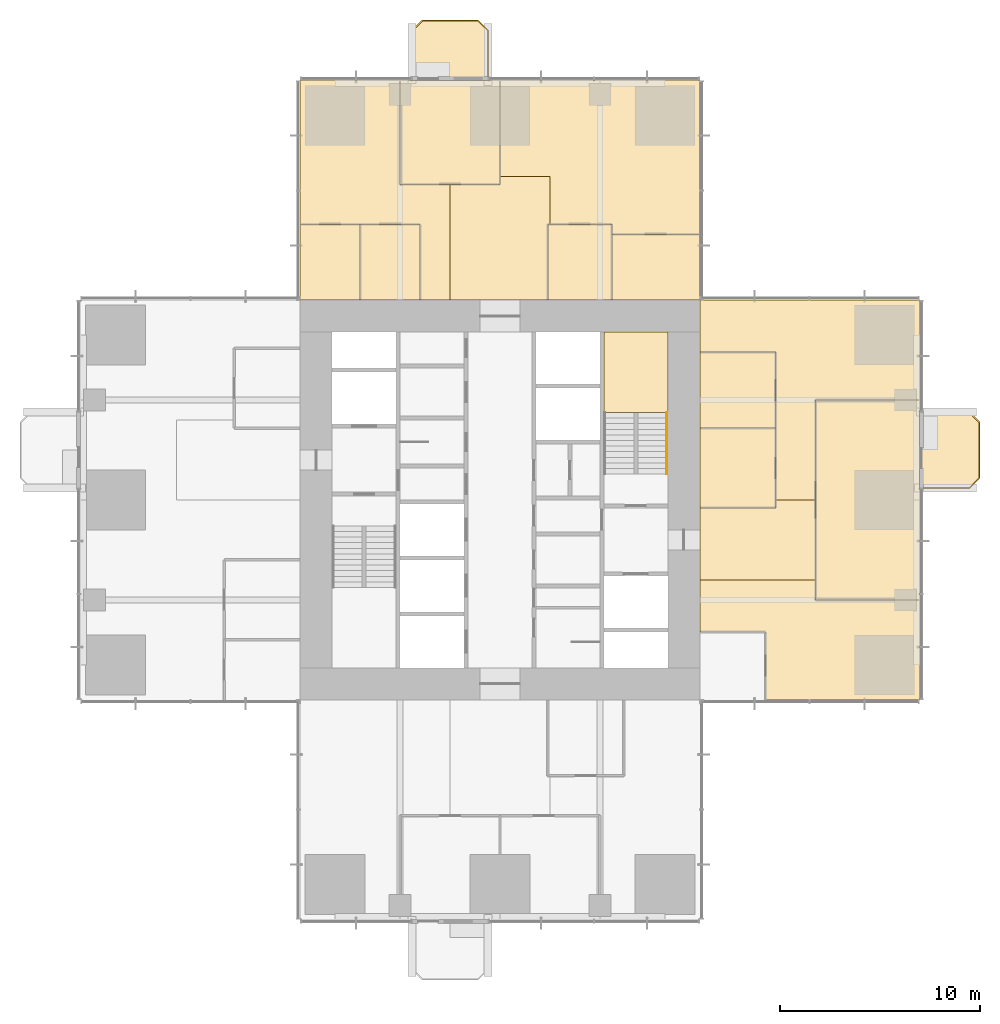
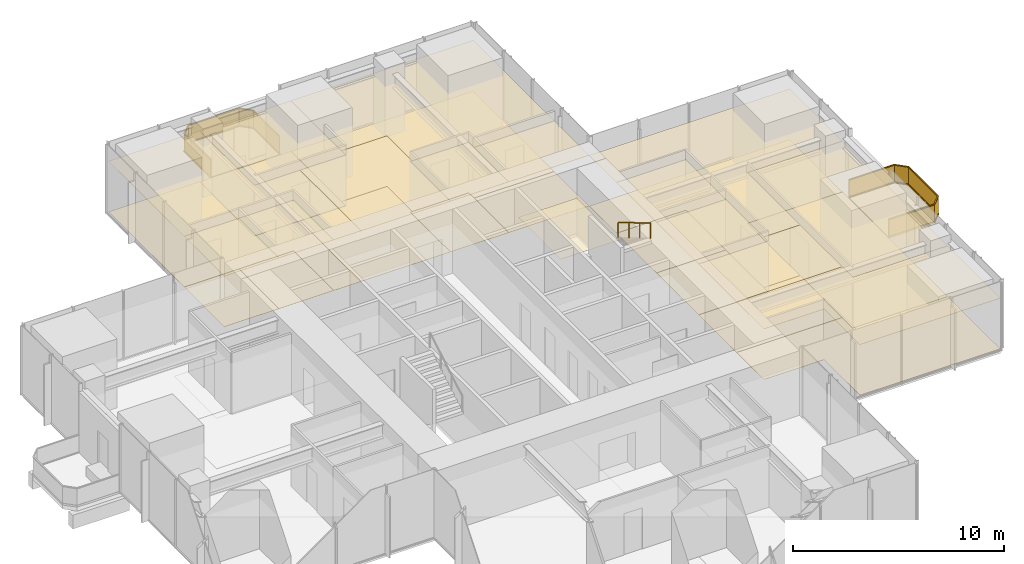
# One storey, part 12 of 13: 31 coverings, 3 railings.
"""IFC4 building model written with IfcOpenShell, lengths in metres."""

import ifcopenshell
import ifcopenshell.guid

model = None  # the IFC model being written
_history = None  # IfcOwnerHistory: only IFC2X3 demands one
_inside = {}  # id of a spatial element -> (the spatial element, [elements in it])
_under = {}  # id of a project, library or spatial element -> (it, [spatial elements below it])
_declared = {}  # id of a project -> (the project, [libraries it declares])
_typed = {}  # id of a type object -> (the type object, [elements of that type])
_made_of = {}  # id of a material, layer set ... -> (it, [elements and type objects made of it])


def new_model(schema):
    """Start an empty IFC model of exactly this schema.

    Asked for "IFC4X3", IfcOpenShell would pick the latest addendum, in which some entities
    have other attributes; the version numbers below select the first issue.
    IFC2X3 requires an IfcOwnerHistory on every rooted entity: one is made here for all.
    """
    global model, _history
    if schema == "IFC4X3":
        model = ifcopenshell.file(schema_version=(4, 3, 0, 0))
    else:
        model = ifcopenshell.file(schema=schema)
    _inside.clear()
    _under.clear()
    _declared.clear()
    _typed.clear()
    _made_of.clear()
    _history = None
    if model.schema == "IFC2X3":
        org = make("IfcOrganization", Name="unknown")
        user = make(
            "IfcPersonAndOrganization",
            ThePerson=make("IfcPerson", FamilyName="unknown"),
            TheOrganization=org,
        )
        app = make(
            "IfcApplication",
            ApplicationDeveloper=org,
            Version="unknown",
            ApplicationFullName="unknown",
            ApplicationIdentifier="unknown",
        )
        _history = make(
            "IfcOwnerHistory",
            OwningUser=user,
            OwningApplication=app,
            ChangeAction="ADDED",
            CreationDate=0,
        )
    return model


def make(cls, **values):
    """One entity of the class cls with the attributes given. An attribute that is None is left unset."""
    return model.create_entity(
        cls, **{name: value for name, value in values.items() if value is not None}
    )


def rooted(cls, **values):
    """An entity with a GlobalId (a new one), such as an element, a storey or a relation."""
    return make(cls, GlobalId=ifcopenshell.guid.new(), OwnerHistory=_history, **values)


def si_unit(unit_type, name, prefix=None):
    """IfcSIUnit, for example si_unit("LENGTHUNIT", "METRE", prefix="MILLI")."""
    return make("IfcSIUnit", UnitType=unit_type, Prefix=prefix, Name=name)


def assignment(units):
    """IfcUnitAssignment: the units of a project."""
    return None if units is None else make("IfcUnitAssignment", Units=units)


def point(xyz):
    """IfcCartesianPoint."""
    return None if xyz is None else make("IfcCartesianPoint", Coordinates=xyz)


def direction(xyz):
    """IfcDirection."""
    return None if xyz is None else make("IfcDirection", DirectionRatios=xyz)


def frame(location, z_axis=None, x_axis=None):
    """IfcAxis2Placement3D, a coordinate frame: its origin and axes. An axis left out is left unset."""
    return make(
        "IfcAxis2Placement3D",
        Location=point(location),
        Axis=direction(z_axis),
        RefDirection=direction(x_axis),
    )


def frame_2d(location, x_axis=None):
    """IfcAxis2Placement2D, a coordinate frame in the plane: its origin and x axis."""
    return make(
        "IfcAxis2Placement2D", Location=point(location), RefDirection=direction(x_axis)
    )


def origin():
    """The frame at (0, 0, 0) with its axes left unset."""
    return frame((0.0, 0.0, 0.0))


def origin_2d():
    """The frame at (0, 0) in the plane with its x axis left unset."""
    return frame_2d((0.0, 0.0))


def place(relative_to, where):
    """IfcLocalPlacement: puts the frame where relative to a parent placement (None: the world)."""
    return make(
        "IfcLocalPlacement", PlacementRelTo=relative_to, RelativePlacement=where
    )


def context(
    kind, dimensions, precision=None, world=None, true_north=None, identifier=None
):
    """IfcGeometricRepresentationContext, for example the 3D "Model" context."""
    return make(
        "IfcGeometricRepresentationContext",
        ContextIdentifier=identifier,
        ContextType=kind,
        CoordinateSpaceDimension=dimensions,
        Precision=precision,
        WorldCoordinateSystem=world,
        TrueNorth=true_north,
    )


def subcontext(parent, identifier, kind, view, scale=None):
    """IfcGeometricRepresentationSubContext, for example "Body" below "Model"."""
    return make(
        "IfcGeometricRepresentationSubContext",
        ContextIdentifier=identifier,
        ContextType=kind,
        ParentContext=parent,
        TargetScale=scale,
        TargetView=view,
    )


def project(units=None, contexts=None):
    """IfcProject with its units and contexts."""
    return rooted(
        "IfcProject",
        Name="project",
        RepresentationContexts=contexts,
        UnitsInContext=assignment(units),
    )


def spatial(cls, under=None, at=None, **own):
    """A site, building, storey or space (cls), placed at a placement, below another one or the project."""
    s = rooted(cls, ObjectPlacement=at, **own)
    if under is not None:
        _under.setdefault(under.id(), (under, []))[1].append(s)
    return s


def polyline(points):
    """IfcPolyline through the points."""
    return make("IfcPolyline", Points=[point(p) for p in points])


def profile(cls, at=None, kind="AREA", **sizes):
    """A parametric profile (cls). Its sizes go by their IFC names, for example OverallWidth=200.0."""
    return make(cls, ProfileType=kind, Position=at, **sizes)


def rectangle(**sizes):
    """IfcRectangleProfileDef."""
    return profile("IfcRectangleProfileDef", **sizes)


def circle(**sizes):
    """IfcCircleProfileDef."""
    return profile("IfcCircleProfileDef", **sizes)


def outline(outer, holes=None, kind="AREA"):
    """IfcArbitraryClosedProfileDef: a profile drawn as a closed curve; with holes, ...WithVoids."""
    if holes is None:
        return make("IfcArbitraryClosedProfileDef", ProfileType=kind, OuterCurve=outer)
    return make(
        "IfcArbitraryProfileDefWithVoids",
        ProfileType=kind,
        OuterCurve=outer,
        InnerCurves=holes,
    )


def extrude(swept, where, along, depth):
    """IfcExtrudedAreaSolid: the profile swept, set in the frame where, extruded along a direction by depth."""
    return make(
        "IfcExtrudedAreaSolid",
        SweptArea=swept,
        Position=where,
        ExtrudedDirection=direction(along),
        Depth=depth,
    )


def shape(context_of_items, identifier, shape_type, items):
    """IfcShapeRepresentation: the items that make up one representation, for example the "Body"."""
    return make(
        "IfcShapeRepresentation",
        ContextOfItems=context_of_items,
        RepresentationIdentifier=identifier,
        RepresentationType=shape_type,
        Items=items,
    )


def material(Name=None, Category=None):
    """IfcMaterial."""
    return make("IfcMaterial", Name=Name, Category=Category)


def layer(
    of_material, thickness, ventilated=None, Name=None, Category=None, Priority=None
):
    """IfcMaterialLayer: one layer of a wall or slab, of a material (None: an air gap)."""
    return make(
        "IfcMaterialLayer",
        Material=of_material,
        LayerThickness=thickness,
        IsVentilated=ventilated,
        Name=Name,
        Category=Category,
        Priority=Priority,
    )


def layer_set(layers, Name=None):
    """IfcMaterialLayerSet."""
    return make("IfcMaterialLayerSet", MaterialLayers=layers, LayerSetName=Name)


def made_of(thing, what):
    """Note that an element or type object is made of a material, layer set ...; save() writes the relation."""
    if what is not None:
        _made_of.setdefault(what.id(), (what, []))[1].append(thing)
    return thing


def type_object(cls, material=None, **own):
    """A type object (cls), such as IfcWallType, which elements share."""
    return made_of(rooted(cls, **own), material)


def element(
    cls,
    number,
    at=None,
    inside=None,
    cuts=None,
    type_object=None,
    material=None,
    context=None,
    identifier="Body",
    shape_type=None,
    held_by="IfcProductDefinitionShape",
    body=None,
    shapes=None,
    **own,
):
    """One element of the class cls, such as IfcWall. Its Tag is "e" and its number.

    at: its placement. inside: the storey or other place that contains it. cuts: it is an
    opening in that element (IfcRelVoidsElement). A single representation is given by context,
    identifier, shape_type and body (its items); several are given by shapes. held_by: the class
    of the entity that holds the representations. save() writes the other relations.
    """
    e = rooted(cls, Tag="e%d" % number, ObjectPlacement=at, **own)
    if body is not None:
        shapes = [shape(context, identifier, shape_type, body)]
    if shapes is not None:
        e.Representation = make(held_by, Representations=shapes)
    if inside is not None:
        _inside.setdefault(inside.id(), (inside, []))[1].append(e)
    if cuts is not None:
        rooted(
            "IfcRelVoidsElement", RelatingBuildingElement=cuts, RelatedOpeningElement=e
        )
    if type_object is not None:
        _typed.setdefault(type_object.id(), (type_object, []))[1].append(e)
    return made_of(e, material)


def aggregate(whole, parts):
    """IfcRelAggregates: a whole, such as a stair, and the parts it consists of."""
    return rooted("IfcRelAggregates", RelatingObject=whole, RelatedObjects=parts)


def save(model, path):
    """Write the relations noted so far, then the file.

    IfcRelAggregates (storeys below a building ...), IfcRelContainedInSpatialStructure (elements
    in a storey), IfcRelDefinesByType, IfcRelAssociatesMaterial and IfcRelDeclares: one each for
    every whole, place, type object, material and project.
    """
    for whole, parts in _under.values():
        aggregate(whole, parts)
    for where, things in _inside.values():
        rooted(
            "IfcRelContainedInSpatialStructure",
            RelatedElements=things,
            RelatingStructure=where,
        )
    for kind, things in _typed.values():
        rooted("IfcRelDefinesByType", RelatedObjects=things, RelatingType=kind)
    for what, things in _made_of.values():
        rooted("IfcRelAssociatesMaterial", RelatedObjects=things, RelatingMaterial=what)
    for by, libraries in _declared.values():
        rooted("IfcRelDeclares", RelatingContext=by, RelatedDefinitions=libraries)
    model.write(path)


model = new_model("IFC4")

# Units and contexts
model_context = context("Model", 3, precision=1e-05, world=origin(), true_north=direction((0.0, 1.0)))
body_context = subcontext(model_context, "Body", "Model", "MODEL_VIEW")
ifc_project = project(units=[si_unit("LENGTHUNIT", "METRE"), si_unit("AREAUNIT", "SQUARE_METRE"), si_unit("VOLUMEUNIT", "CUBIC_METRE"), si_unit("PLANEANGLEUNIT", "RADIAN"), si_unit("MASSUNIT", "GRAM", prefix="KILO")], contexts=[model_context])

# Site, building, storey
site_placement = place(None, origin())
site = spatial("IfcSite", under=ifc_project, at=site_placement, CompositionType="ELEMENT")
building_placement = place(site_placement, origin())
building = spatial("IfcBuilding", under=site, at=building_placement, Name="Svetlomir Tower", CompositionType="ELEMENT")
storey_placement = place(building_placement, frame((0.0, 0.0, 156.5)))
storey = spatial("IfcBuildingStorey", under=building, at=storey_placement, Name="L37", CompositionType="ELEMENT", Elevation=156.5)

# Railings
ifc_material_1 = material(Name="Bronze anodised aluminium and laminated glass", Category="aluminium")
railing_type_1 = type_object("IfcRailingType", Name="BALCONY GUARD GR1 1100", PredefinedType="GUARDRAIL", material=ifc_material_1)
railing_1_placement = place(storey_placement, frame((42.0, 21.60009765625, 0.0)))
element("IfcRailing", 1, at=railing_1_placement, inside=storey, type_object=railing_type_1, Name="Balcony guard E L37", PredefinedType="GUARDRAIL", context=body_context, shape_type="SweptSolid", body=[
    extrude(rectangle(XDim=0.06005859375, YDim=0.10009765625, at=origin_2d()), frame((0.0, 0.0, 0.050048828125), z_axis=(1.0, 0.0, 0.0), x_axis=(0.0, 1.0, 0.0)), (0.0, 0.0, 1.0), 2.5),
    extrude(rectangle(XDim=0.021484375, YDim=0.960205078125, at=origin_2d()), frame((0.0, 0.0, 0.580078125), z_axis=(1.0, 0.0, 0.0), x_axis=(0.0, 1.0, 0.0)), (0.0, 0.0, 1.0), 2.5),
    extrude(rectangle(XDim=0.06005859375, YDim=0.0400390625, at=origin_2d()), frame((0.0, 0.0, 1.080078125), z_axis=(1.0, 0.0, 0.0), x_axis=(0.0, 1.0, 0.0)), (0.0, 0.0, 1.0), 2.5),
    extrude(rectangle(XDim=0.06005859375, YDim=0.10009765625, at=origin_2d()), frame((2.5, 0.0, 0.050048828125), z_axis=(0.707106781187, 0.707106781187, 0.0), x_axis=(-0.707106781187, 0.707106781187, 0.0)), (0.0, 0.0, 1.0), 0.70703125),
    extrude(rectangle(XDim=0.021484375, YDim=0.960205078125, at=origin_2d()), frame((2.5, 0.0, 0.580078125), z_axis=(0.707106781187, 0.707106781187, 0.0), x_axis=(-0.707106781187, 0.707106781187, 0.0)), (0.0, 0.0, 1.0), 0.70703125),
    extrude(rectangle(XDim=0.06005859375, YDim=0.0400390625, at=origin_2d()), frame((2.5, 0.0, 1.080078125), z_axis=(0.707106781187, 0.707106781187, 0.0), x_axis=(-0.707106781187, 0.707106781187, 0.0)), (0.0, 0.0, 1.0), 0.70703125),
    extrude(rectangle(XDim=0.06005859375, YDim=0.10009765625, at=origin_2d()), frame((3.0, 0.5, 0.050048828125), z_axis=(0.0, 1.0, 0.0), x_axis=(-1.0, 0.0, 0.0)), (0.0, 0.0, 1.0), 2.7998046875),
    extrude(rectangle(XDim=0.021484375, YDim=0.960205078125, at=origin_2d()), frame((3.0, 0.5, 0.580078125), z_axis=(0.0, 1.0, 0.0), x_axis=(-1.0, 0.0, 0.0)), (0.0, 0.0, 1.0), 2.7998046875),
    extrude(rectangle(XDim=0.06005859375, YDim=0.0400390625, at=origin_2d()), frame((3.0, 0.5, 1.080078125), z_axis=(0.0, 1.0, 0.0), x_axis=(-1.0, 0.0, 0.0)), (0.0, 0.0, 1.0), 2.7998046875),
    extrude(rectangle(XDim=0.06005859375, YDim=0.10009765625, at=origin_2d()), frame((3.0, 3.2998046875, 0.050048828125), z_axis=(-0.707106781187, 0.707106781187, 0.0), x_axis=(-0.707106781187, -0.707106781187, 0.0)), (0.0, 0.0, 1.0), 0.70703125),
    extrude(rectangle(XDim=0.021484375, YDim=0.960205078125, at=origin_2d()), frame((3.0, 3.2998046875, 0.580078125), z_axis=(-0.707106781187, 0.707106781187, 0.0), x_axis=(-0.707106781187, -0.707106781187, 0.0)), (0.0, 0.0, 1.0), 0.70703125),
    extrude(rectangle(XDim=0.06005859375, YDim=0.0400390625, at=origin_2d()), frame((3.0, 3.2998046875, 1.080078125), z_axis=(-0.707106781187, 0.707106781187, 0.0), x_axis=(-0.707106781187, -0.707106781187, 0.0)), (0.0, 0.0, 1.0), 0.70703125),
    extrude(rectangle(XDim=0.06005859375, YDim=0.10009765625, at=origin_2d()), frame((2.5, 3.7998046875, 0.050048828125), z_axis=(-1.0, 0.0, 0.0), x_axis=(0.0, -1.0, 0.0)), (0.0, 0.0, 1.0), 2.5),
    extrude(rectangle(XDim=0.021484375, YDim=0.960205078125, at=origin_2d()), frame((2.5, 3.7998046875, 0.580078125), z_axis=(-1.0, 0.0, 0.0), x_axis=(0.0, -1.0, 0.0)), (0.0, 0.0, 1.0), 2.5),
    extrude(rectangle(XDim=0.06005859375, YDim=0.0400390625, at=origin_2d()), frame((2.5, 3.7998046875, 1.080078125), z_axis=(-1.0, 0.0, 0.0), x_axis=(0.0, -1.0, 0.0)), (0.0, 0.0, 1.0), 2.5),
])
railing_2_placement = place(storey_placement, frame((20.39990234375, 42.0, 0.0)))
element("IfcRailing", 2, at=railing_2_placement, inside=storey, type_object=railing_type_1, Name="Balcony guard N L37", PredefinedType="GUARDRAIL", context=body_context, shape_type="SweptSolid", body=[
    extrude(rectangle(XDim=0.06005859375, YDim=0.10009765625, at=origin_2d()), frame((0.0, 0.0, 0.050048828125), z_axis=(0.0, 1.0, 0.0), x_axis=(-1.0, 0.0, 0.0)), (0.0, 0.0, 1.0), 2.5),
    extrude(rectangle(XDim=0.021484375, YDim=0.960205078125, at=origin_2d()), frame((0.0, 0.0, 0.580078125), z_axis=(0.0, 1.0, 0.0), x_axis=(-1.0, 0.0, 0.0)), (0.0, 0.0, 1.0), 2.5),
    extrude(rectangle(XDim=0.06005859375, YDim=0.0400390625, at=origin_2d()), frame((0.0, 0.0, 1.080078125), z_axis=(0.0, 1.0, 0.0), x_axis=(-1.0, 0.0, 0.0)), (0.0, 0.0, 1.0), 2.5),
    extrude(rectangle(XDim=0.06005859375, YDim=0.10009765625, at=origin_2d()), frame((0.0, 2.5, 0.050048828125), z_axis=(-0.707106781187, 0.707106781187, 0.0), x_axis=(-0.707106781187, -0.707106781187, 0.0)), (0.0, 0.0, 1.0), 0.70703125),
    extrude(rectangle(XDim=0.021484375, YDim=0.960205078125, at=origin_2d()), frame((0.0, 2.5, 0.580078125), z_axis=(-0.707106781187, 0.707106781187, 0.0), x_axis=(-0.707106781187, -0.707106781187, 0.0)), (0.0, 0.0, 1.0), 0.70703125),
    extrude(rectangle(XDim=0.06005859375, YDim=0.0400390625, at=origin_2d()), frame((0.0, 2.5, 1.080078125), z_axis=(-0.707106781187, 0.707106781187, 0.0), x_axis=(-0.707106781187, -0.707106781187, 0.0)), (0.0, 0.0, 1.0), 0.70703125),
    extrude(rectangle(XDim=0.06005859375, YDim=0.10009765625, at=origin_2d()), frame((-0.5, 3.0, 0.050048828125), z_axis=(-1.0, 0.0, 0.0), x_axis=(0.0, -1.0, 0.0)), (0.0, 0.0, 1.0), 2.7998046875),
    extrude(rectangle(XDim=0.021484375, YDim=0.960205078125, at=origin_2d()), frame((-0.5, 3.0, 0.580078125), z_axis=(-1.0, 0.0, 0.0), x_axis=(0.0, -1.0, 0.0)), (0.0, 0.0, 1.0), 2.7998046875),
    extrude(rectangle(XDim=0.06005859375, YDim=0.0400390625, at=origin_2d()), frame((-0.5, 3.0, 1.080078125), z_axis=(-1.0, 0.0, 0.0), x_axis=(0.0, -1.0, 0.0)), (0.0, 0.0, 1.0), 2.7998046875),
    extrude(rectangle(XDim=0.06005859375, YDim=0.10009765625, at=origin_2d()), frame((-3.2998046875, 3.0, 0.050048828125), z_axis=(-0.707106781187, -0.707106781187, 0.0), x_axis=(0.707106781187, -0.707106781187, 0.0)), (0.0, 0.0, 1.0), 0.70703125),
    extrude(rectangle(XDim=0.021484375, YDim=0.960205078125, at=origin_2d()), frame((-3.2998046875, 3.0, 0.580078125), z_axis=(-0.707106781187, -0.707106781187, 0.0), x_axis=(0.707106781187, -0.707106781187, 0.0)), (0.0, 0.0, 1.0), 0.70703125),
    extrude(rectangle(XDim=0.06005859375, YDim=0.0400390625, at=origin_2d()), frame((-3.2998046875, 3.0, 1.080078125), z_axis=(-0.707106781187, -0.707106781187, 0.0), x_axis=(0.707106781187, -0.707106781187, 0.0)), (0.0, 0.0, 1.0), 0.70703125),
    extrude(rectangle(XDim=0.06005859375, YDim=0.10009765625, at=origin_2d()), frame((-3.7998046875, 2.5, 0.050048828125), z_axis=(0.0, -1.0, 0.0), x_axis=(1.0, 0.0, 0.0)), (0.0, 0.0, 1.0), 2.5),
    extrude(rectangle(XDim=0.021484375, YDim=0.960205078125, at=origin_2d()), frame((-3.7998046875, 2.5, 0.580078125), z_axis=(0.0, -1.0, 0.0), x_axis=(1.0, 0.0, 0.0)), (0.0, 0.0, 1.0), 2.5),
    extrude(rectangle(XDim=0.06005859375, YDim=0.0400390625, at=origin_2d()), frame((-3.7998046875, 2.5, 1.080078125), z_axis=(0.0, -1.0, 0.0), x_axis=(1.0, 0.0, 0.0)), (0.0, 0.0, 1.0), 2.5),
])

# Coverings
ifc_material_2 = material(Name="Granite paving slabs on pedestals", Category="masonry")
ifc_layer_1 = layer(ifc_material_2, 0.0400390625)
ifc_layer_set_1 = layer_set([ifc_layer_1], Name="Granite paving slabs on pedestals")
covering_type_1 = type_object("IfcCoveringType", Name="BALCONY PAVING 40", PredefinedType="USERDEFINED", material=ifc_layer_set_1)
covering_1_placement = place(storey_placement, origin())
element("IfcCovering", 3, at=covering_1_placement, inside=storey, type_object=covering_type_1, Name="Balcony paving E L37", ObjectType="BALCONY PAVING", PredefinedType="USERDEFINED", context=body_context, shape_type="SweptSolid", body=[
    extrude(outline(polyline([(42.0, 21.60009765625), (44.5, 21.60009765625), (45.0, 22.10009765625), (45.0, 24.89990234375), (44.5, 25.39990234375), (42.0, 25.39990234375), (42.0, 21.60009765625)])), origin(), (0.0, 0.0, 1.0), 0.0400390625),
])
covering_2_placement = place(storey_placement, origin())
element("IfcCovering", 4, at=covering_2_placement, inside=storey, type_object=covering_type_1, Name="Balcony paving N L37", ObjectType="BALCONY PAVING", PredefinedType="USERDEFINED", context=body_context, shape_type="SweptSolid", body=[
    extrude(outline(polyline([(16.60009765625, 42.0), (20.39990234375, 42.0), (20.39990234375, 44.5), (19.89990234375, 45.0), (17.10009765625, 45.0), (16.60009765625, 44.5), (16.60009765625, 42.0)])), origin(), (0.0, 0.0, 1.0), 0.0400390625),
])
ifc_material_3 = material(Name="Carpet tile", Category="textile")
ifc_layer_2 = layer(ifc_material_3, 0.010009765625)
ifc_layer_set_2 = layer_set([ifc_layer_2], Name="Carpet tile")
covering_type_2 = type_object("IfcCoveringType", Name="CARPET TILE FLOOR 10", PredefinedType="FLOORING", material=ifc_layer_set_2)
covering_3_placement = place(storey_placement, origin())
element("IfcCovering", 5, at=covering_3_placement, inside=storey, type_object=covering_type_2, Name="Floor finish L37-20", PredefinedType="FLOORING", context=body_context, shape_type="SweptSolid", body=[
    extrude(outline(polyline([(31.0, 20.60009765625), (34.800048828125, 20.60009765625), (34.800048828125, 24.60009765625), (31.0, 24.60009765625), (31.0, 20.60009765625)])), origin(), (0.0, 0.0, 1.0), 0.010009765625),
])
covering_4_placement = place(storey_placement, origin())
element("IfcCovering", 6, at=covering_4_placement, inside=storey, type_object=covering_type_2, Name="Floor finish L37-21", PredefinedType="FLOORING", context=body_context, shape_type="SweptSolid", body=[
    extrude(outline(polyline([(31.0, 24.60009765625), (34.800048828125, 24.60009765625), (34.800048828125, 28.39990234375), (31.0, 28.39990234375), (31.0, 24.60009765625)])), origin(), (0.0, 0.0, 1.0), 0.010009765625),
])
covering_5_placement = place(storey_placement, origin())
element("IfcCovering", 7, at=covering_5_placement, inside=storey, type_object=covering_type_2, Name="Floor finish L37-22", PredefinedType="FLOORING", context=body_context, shape_type="SweptSolid", body=[
    extrude(outline(polyline([(36.800048828125, 16.0), (42.0, 16.0), (42.0, 26.0), (36.800048828125, 26.0), (36.800048828125, 16.0)])), origin(), (0.0, 0.0, 1.0), 0.010009765625),
])
covering_6_placement = place(storey_placement, origin())
element("IfcCovering", 8, at=covering_6_placement, inside=storey, type_object=covering_type_2, Name="Floor finish L37-23", PredefinedType="FLOORING", context=body_context, shape_type="SweptSolid", body=[
    extrude(outline(polyline([(11.0, 31.0), (14.0, 31.0), (14.0, 34.800048828125), (11.0, 34.800048828125), (11.0, 31.0)])), origin(), (0.0, 0.0, 1.0), 0.010009765625),
])
covering_7_placement = place(storey_placement, origin())
element("IfcCovering", 9, at=covering_7_placement, inside=storey, type_object=covering_type_2, Name="Floor finish L37-24", PredefinedType="FLOORING", context=body_context, shape_type="SweptSolid", body=[
    extrude(outline(polyline([(14.0, 31.0), (17.0, 31.0), (17.0, 34.800048828125), (14.0, 34.800048828125), (14.0, 31.0)])), origin(), (0.0, 0.0, 1.0), 0.010009765625),
])
covering_8_placement = place(storey_placement, origin())
element("IfcCovering", 10, at=covering_8_placement, inside=storey, type_object=covering_type_2, Name="Floor finish L37-25", PredefinedType="FLOORING", context=body_context, shape_type="SweptSolid", body=[
    extrude(outline(polyline([(23.39990234375, 31.0), (26.60009765625, 31.0), (26.60009765625, 34.800048828125), (23.39990234375, 34.800048828125), (23.39990234375, 31.0)])), origin(), (0.0, 0.0, 1.0), 0.010009765625),
])
covering_9_placement = place(storey_placement, origin())
element("IfcCovering", 11, at=covering_9_placement, inside=storey, type_object=covering_type_2, Name="Floor finish L37-26", PredefinedType="FLOORING", context=body_context, shape_type="SweptSolid", body=[
    extrude(outline(polyline([(26.60009765625, 31.0), (31.0, 31.0), (31.0, 34.300048828125), (26.60009765625, 34.300048828125), (26.60009765625, 31.0)])), origin(), (0.0, 0.0, 1.0), 0.010009765625),
])
covering_10_placement = place(storey_placement, origin())
element("IfcCovering", 12, at=covering_10_placement, inside=storey, type_object=covering_type_2, Name="Floor finish L37-27", PredefinedType="FLOORING", context=body_context, shape_type="SweptSolid", body=[
    extrude(outline(polyline([(16.0, 36.800048828125), (21.0, 36.800048828125), (21.0, 42.0), (16.0, 42.0), (16.0, 36.800048828125)])), origin(), (0.0, 0.0, 1.0), 0.010009765625),
])
covering_11_placement = place(storey_placement, origin())
element("IfcCovering", 13, at=covering_11_placement, inside=storey, type_object=covering_type_2, Name="Floor finish L37-32", PredefinedType="FLOORING", context=body_context, shape_type="SweptSolid", body=[
    extrude(outline(polyline([(31.0, 20.60009765625), (34.800048828125, 20.60009765625), (34.800048828125, 21.0), (36.800048828125, 21.0), (36.800048828125, 17.0), (31.0, 17.0), (31.0, 20.60009765625)])), origin(), (0.0, 0.0, 1.0), 0.010009765625),
])
covering_12_placement = place(storey_placement, origin())
element("IfcCovering", 14, at=covering_12_placement, inside=storey, type_object=covering_type_2, Name="Floor finish L37-33", PredefinedType="FLOORING", context=body_context, shape_type="SweptSolid", body=[
    extrude(outline(polyline([(23.39990234375, 34.800048828125), (23.39990234375, 31.0), (18.5, 31.0), (18.5, 36.800048828125), (21.0, 36.800048828125), (21.0, 37.199951171875), (23.5, 37.199951171875), (23.5, 34.800048828125), (23.39990234375, 34.800048828125)])), origin(), (0.0, 0.0, 1.0), 0.010009765625),
])
covering_13_placement = place(storey_placement, origin())
element("IfcCovering", 15, at=covering_13_placement, inside=storey, type_object=covering_type_2, Name="Floor finish L37-37", PredefinedType="FLOORING", context=body_context, shape_type="SweptSolid", body=[
    extrude(outline(polyline([(34.300048828125, 14.39990234375), (31.0, 14.39990234375), (31.0, 17.0), (36.800048828125, 17.0), (36.800048828125, 16.0), (42.0, 16.0), (42.0, 11.0), (34.300048828125, 11.0), (34.300048828125, 14.39990234375)])), origin(), (0.0, 0.0, 1.0), 0.010009765625),
])
covering_14_placement = place(storey_placement, origin())
element("IfcCovering", 16, at=covering_14_placement, inside=storey, type_object=covering_type_2, Name="Floor finish L37-38", PredefinedType="FLOORING", context=body_context, shape_type="SweptSolid", body=[
    extrude(outline(polyline([(34.800048828125, 28.39990234375), (31.0, 28.39990234375), (31.0, 31.0), (42.0, 31.0), (42.0, 26.0), (36.800048828125, 26.0), (36.800048828125, 21.0), (34.800048828125, 21.0), (34.800048828125, 28.39990234375)])), origin(), (0.0, 0.0, 1.0), 0.010009765625),
])
covering_15_placement = place(storey_placement, origin())
element("IfcCovering", 17, at=covering_15_placement, inside=storey, type_object=covering_type_2, Name="Floor finish L37-39", PredefinedType="FLOORING", context=body_context, shape_type="SweptSolid", body=[
    extrude(outline(polyline([(26.60009765625, 34.300048828125), (26.60009765625, 34.800048828125), (23.5, 34.800048828125), (23.5, 37.199951171875), (21.0, 37.199951171875), (21.0, 42.0), (31.0, 42.0), (31.0, 34.300048828125), (26.60009765625, 34.300048828125)])), origin(), (0.0, 0.0, 1.0), 0.010009765625),
])
covering_16_placement = place(storey_placement, origin())
element("IfcCovering", 18, at=covering_16_placement, inside=storey, type_object=covering_type_2, Name="Floor finish L37-40", PredefinedType="FLOORING", context=body_context, shape_type="SweptSolid", body=[
    extrude(outline(polyline([(17.0, 34.800048828125), (11.0, 34.800048828125), (11.0, 42.0), (16.0, 42.0), (16.0, 36.800048828125), (18.5, 36.800048828125), (18.5, 31.0), (17.0, 31.0), (17.0, 34.800048828125)])), origin(), (0.0, 0.0, 1.0), 0.010009765625),
])

# Railing
ifc_material_4 = material(Name="Stainless steel", Category="steel")
railing_type_2 = type_object("IfcRailingType", Name="HANDRAIL HR1 900", PredefinedType="HANDRAIL", material=ifc_material_4)
railing_3_placement = place(storey_placement, frame((29.35009765625, 25.3798828125, 2.166748046875)))
element("IfcRailing", 19, at=railing_3_placement, inside=storey, type_object=railing_type_2, Name="Handrail S2 flight 2 L37", PredefinedType="HANDRAIL", context=body_context, shape_type="SweptSolid", body=[
    extrude(circle(Radius=0.02392578125, at=origin_2d()), frame((0.0, 0.0, 0.8759765625), z_axis=(0.0, -0.859290745958, 0.51148745235), x_axis=(1.0, 0.0, 0.0)), (0.0, 0.0, 1.0), 3.584228515625),
    extrude(circle(Radius=0.02099609375, at=origin_2d()), origin(), (0.0, 0.0, 1.0), 0.851806640625),
    extrude(circle(Radius=0.02099609375, at=origin_2d()), frame((0.0, -1.026611328125, 0.611083984375)), (0.0, 0.0, 1.0), 0.851806640625),
    extrude(circle(Radius=0.02099609375, at=origin_2d()), frame((0.0, -2.05322265625, 1.22216796875)), (0.0, 0.0, 1.0), 0.851806640625),
    extrude(circle(Radius=0.02099609375, at=origin_2d()), frame((0.0, -3.079833984375, 1.833251953125)), (0.0, 0.0, 1.0), 0.851806640625),
])

# Coverings
ifc_material_5 = material(Name="Studded rubber floor finish", Category="rubber")
ifc_layer_3 = layer(ifc_material_5, 0.006103515625)
ifc_layer_set_3 = layer_set([ifc_layer_3], Name="Studded rubber floor finish")
covering_type_3 = type_object("IfcCoveringType", Name="RUBBER LANDING FINISH 6", PredefinedType="FLOORING", material=ifc_layer_set_3)
covering_17_placement = place(storey_placement, frame((0.0, 0.0, 2.0)))
element("IfcCovering", 20, at=covering_17_placement, inside=storey, type_object=covering_type_3, Name="Stair S2 landing finish L37", PredefinedType="FLOORING", context=body_context, shape_type="SweptSolid", body=[
    extrude(outline(polyline([(26.199951171875, 25.3798828125), (29.39990234375, 25.3798828125), (29.39990234375, 29.39990234375), (26.199951171875, 29.39990234375), (26.199951171875, 25.3798828125)])), origin(), (0.0, 0.0, 1.0), 0.006103515625),
])
ifc_material_6 = material(Name="Mineral fibre ceiling tile", Category="mineral")
ifc_layer_4 = layer(ifc_material_6, 0.02001953125)
ifc_layer_set_4 = layer_set([ifc_layer_4], Name="Mineral fibre ceiling tile")
covering_type_4 = type_object("IfcCoveringType", Name="SUSPENDED CEILING 20", PredefinedType="CEILING", material=ifc_layer_set_4)
covering_18_placement = place(storey_placement, frame((0.0, 0.0, 2.929931640625)))
element("IfcCovering", 21, at=covering_18_placement, inside=storey, type_object=covering_type_4, Name="Ceiling L37-20", PredefinedType="CEILING", context=body_context, shape_type="SweptSolid", body=[
    extrude(outline(polyline([(31.0, 20.60009765625), (34.800048828125, 20.60009765625), (34.800048828125, 24.60009765625), (31.0, 24.60009765625), (31.0, 20.60009765625)])), origin(), (0.0, 0.0, 1.0), 0.02001953125),
])
covering_19_placement = place(storey_placement, frame((0.0, 0.0, 2.929931640625)))
element("IfcCovering", 22, at=covering_19_placement, inside=storey, type_object=covering_type_4, Name="Ceiling L37-21", PredefinedType="CEILING", context=body_context, shape_type="SweptSolid", body=[
    extrude(outline(polyline([(31.0, 24.60009765625), (34.800048828125, 24.60009765625), (34.800048828125, 28.39990234375), (31.0, 28.39990234375), (31.0, 24.60009765625)])), origin(), (0.0, 0.0, 1.0), 0.02001953125),
])
covering_20_placement = place(storey_placement, frame((0.0, 0.0, 2.929931640625)))
element("IfcCovering", 23, at=covering_20_placement, inside=storey, type_object=covering_type_4, Name="Ceiling L37-22", PredefinedType="CEILING", context=body_context, shape_type="SweptSolid", body=[
    extrude(outline(polyline([(36.800048828125, 16.0), (42.0, 16.0), (42.0, 26.0), (36.800048828125, 26.0), (36.800048828125, 16.0)])), origin(), (0.0, 0.0, 1.0), 0.02001953125),
])
covering_21_placement = place(storey_placement, frame((0.0, 0.0, 2.929931640625)))
element("IfcCovering", 24, at=covering_21_placement, inside=storey, type_object=covering_type_4, Name="Ceiling L37-23", PredefinedType="CEILING", context=body_context, shape_type="SweptSolid", body=[
    extrude(outline(polyline([(11.0, 31.0), (14.0, 31.0), (14.0, 34.800048828125), (11.0, 34.800048828125), (11.0, 31.0)])), origin(), (0.0, 0.0, 1.0), 0.02001953125),
])
covering_22_placement = place(storey_placement, frame((0.0, 0.0, 2.929931640625)))
element("IfcCovering", 25, at=covering_22_placement, inside=storey, type_object=covering_type_4, Name="Ceiling L37-24", PredefinedType="CEILING", context=body_context, shape_type="SweptSolid", body=[
    extrude(outline(polyline([(14.0, 31.0), (17.0, 31.0), (17.0, 34.800048828125), (14.0, 34.800048828125), (14.0, 31.0)])), origin(), (0.0, 0.0, 1.0), 0.02001953125),
])
covering_23_placement = place(storey_placement, frame((0.0, 0.0, 2.929931640625)))
element("IfcCovering", 26, at=covering_23_placement, inside=storey, type_object=covering_type_4, Name="Ceiling L37-25", PredefinedType="CEILING", context=body_context, shape_type="SweptSolid", body=[
    extrude(outline(polyline([(23.39990234375, 31.0), (26.60009765625, 31.0), (26.60009765625, 34.800048828125), (23.39990234375, 34.800048828125), (23.39990234375, 31.0)])), origin(), (0.0, 0.0, 1.0), 0.02001953125),
])
covering_24_placement = place(storey_placement, frame((0.0, 0.0, 2.929931640625)))
element("IfcCovering", 27, at=covering_24_placement, inside=storey, type_object=covering_type_4, Name="Ceiling L37-26", PredefinedType="CEILING", context=body_context, shape_type="SweptSolid", body=[
    extrude(outline(polyline([(26.60009765625, 31.0), (31.0, 31.0), (31.0, 34.300048828125), (26.60009765625, 34.300048828125), (26.60009765625, 31.0)])), origin(), (0.0, 0.0, 1.0), 0.02001953125),
])
covering_25_placement = place(storey_placement, frame((0.0, 0.0, 2.929931640625)))
element("IfcCovering", 28, at=covering_25_placement, inside=storey, type_object=covering_type_4, Name="Ceiling L37-27", PredefinedType="CEILING", context=body_context, shape_type="SweptSolid", body=[
    extrude(outline(polyline([(16.0, 36.800048828125), (21.0, 36.800048828125), (21.0, 42.0), (16.0, 42.0), (16.0, 36.800048828125)])), origin(), (0.0, 0.0, 1.0), 0.02001953125),
])
covering_26_placement = place(storey_placement, frame((0.0, 0.0, 2.929931640625)))
element("IfcCovering", 29, at=covering_26_placement, inside=storey, type_object=covering_type_4, Name="Ceiling L37-32", PredefinedType="CEILING", context=body_context, shape_type="SweptSolid", body=[
    extrude(outline(polyline([(31.0, 20.60009765625), (34.800048828125, 20.60009765625), (34.800048828125, 21.0), (36.800048828125, 21.0), (36.800048828125, 17.0), (31.0, 17.0), (31.0, 20.60009765625)])), origin(), (0.0, 0.0, 1.0), 0.02001953125),
])
covering_27_placement = place(storey_placement, frame((0.0, 0.0, 2.929931640625)))
element("IfcCovering", 30, at=covering_27_placement, inside=storey, type_object=covering_type_4, Name="Ceiling L37-33", PredefinedType="CEILING", context=body_context, shape_type="SweptSolid", body=[
    extrude(outline(polyline([(23.39990234375, 34.800048828125), (23.39990234375, 31.0), (18.5, 31.0), (18.5, 36.800048828125), (21.0, 36.800048828125), (21.0, 37.199951171875), (23.5, 37.199951171875), (23.5, 34.800048828125), (23.39990234375, 34.800048828125)])), origin(), (0.0, 0.0, 1.0), 0.02001953125),
])
covering_28_placement = place(storey_placement, frame((0.0, 0.0, 2.929931640625)))
element("IfcCovering", 31, at=covering_28_placement, inside=storey, type_object=covering_type_4, Name="Ceiling L37-37", PredefinedType="CEILING", context=body_context, shape_type="SweptSolid", body=[
    extrude(outline(polyline([(34.300048828125, 14.39990234375), (31.0, 14.39990234375), (31.0, 17.0), (36.800048828125, 17.0), (36.800048828125, 16.0), (42.0, 16.0), (42.0, 11.0), (34.300048828125, 11.0), (34.300048828125, 14.39990234375)])), origin(), (0.0, 0.0, 1.0), 0.02001953125),
])
covering_29_placement = place(storey_placement, frame((0.0, 0.0, 2.929931640625)))
element("IfcCovering", 32, at=covering_29_placement, inside=storey, type_object=covering_type_4, Name="Ceiling L37-38", PredefinedType="CEILING", context=body_context, shape_type="SweptSolid", body=[
    extrude(outline(polyline([(34.800048828125, 28.39990234375), (31.0, 28.39990234375), (31.0, 31.0), (42.0, 31.0), (42.0, 26.0), (36.800048828125, 26.0), (36.800048828125, 21.0), (34.800048828125, 21.0), (34.800048828125, 28.39990234375)])), origin(), (0.0, 0.0, 1.0), 0.02001953125),
])
covering_30_placement = place(storey_placement, frame((0.0, 0.0, 2.929931640625)))
element("IfcCovering", 33, at=covering_30_placement, inside=storey, type_object=covering_type_4, Name="Ceiling L37-39", PredefinedType="CEILING", context=body_context, shape_type="SweptSolid", body=[
    extrude(outline(polyline([(26.60009765625, 34.300048828125), (26.60009765625, 34.800048828125), (23.5, 34.800048828125), (23.5, 37.199951171875), (21.0, 37.199951171875), (21.0, 42.0), (31.0, 42.0), (31.0, 34.300048828125), (26.60009765625, 34.300048828125)])), origin(), (0.0, 0.0, 1.0), 0.02001953125),
])
covering_31_placement = place(storey_placement, frame((0.0, 0.0, 2.929931640625)))
element("IfcCovering", 34, at=covering_31_placement, inside=storey, type_object=covering_type_4, Name="Ceiling L37-40", PredefinedType="CEILING", context=body_context, shape_type="SweptSolid", body=[
    extrude(outline(polyline([(17.0, 34.800048828125), (11.0, 34.800048828125), (11.0, 42.0), (16.0, 42.0), (16.0, 36.800048828125), (18.5, 36.800048828125), (18.5, 31.0), (17.0, 31.0), (17.0, 34.800048828125)])), origin(), (0.0, 0.0, 1.0), 0.02001953125),
])

save(model, "model.ifc")
